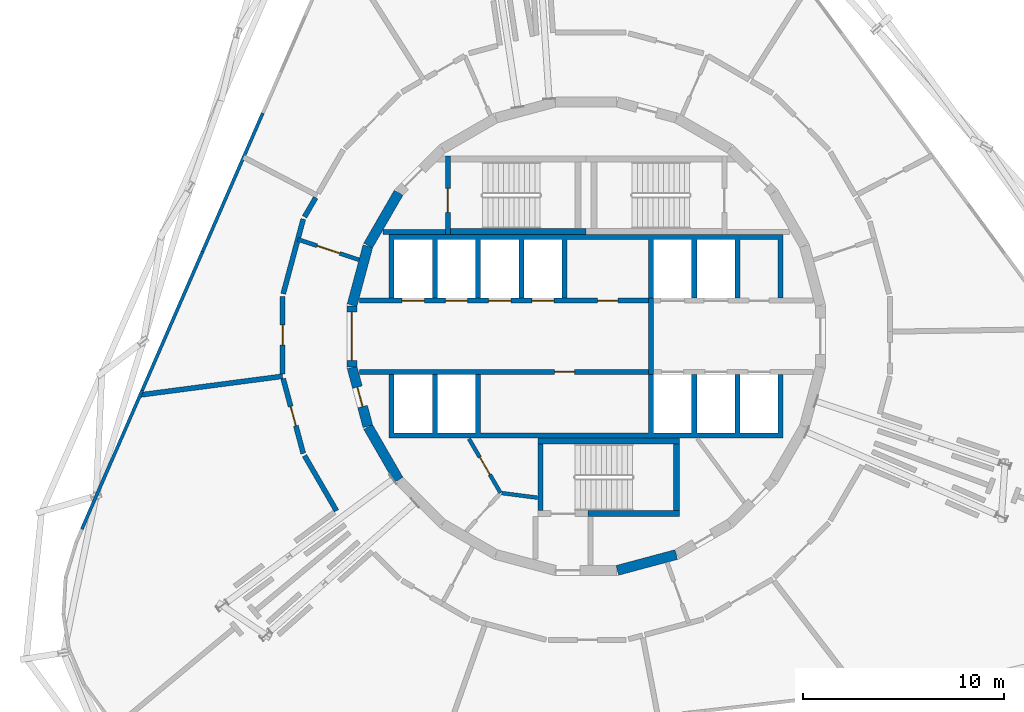
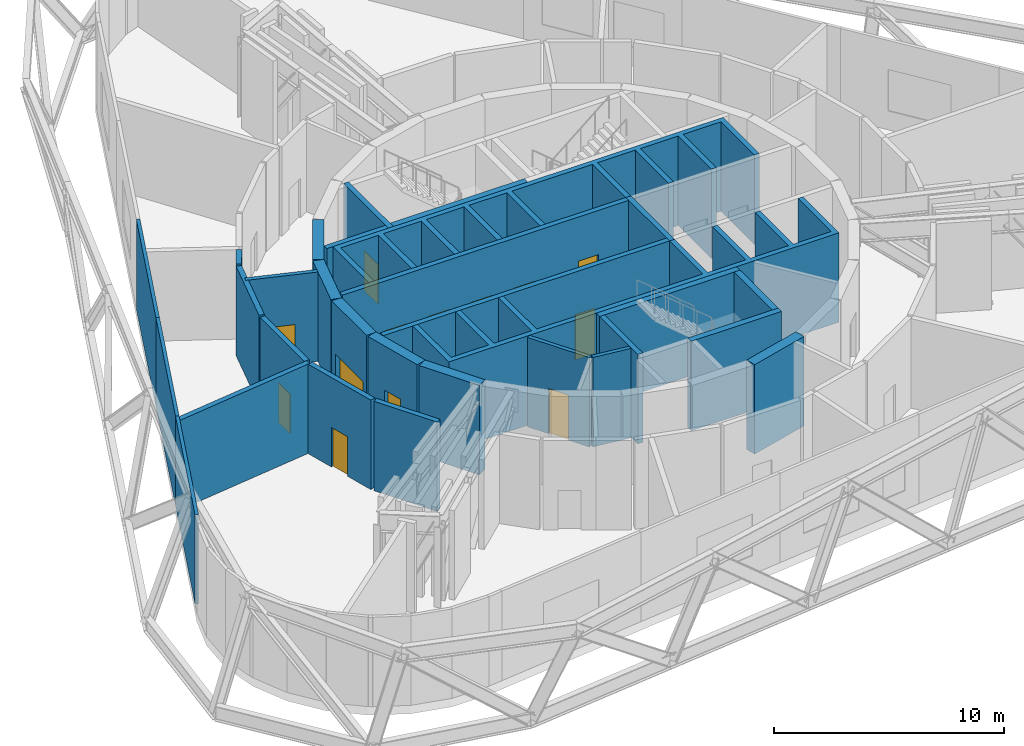
# One storey, part 6 of 11: 30 walls, 13 doors, 13 openings.
"""IFC4 building model written with IfcOpenShell, lengths in metres."""

from ifc_helpers import new_model, si_unit, direction, frame, frame_2d, origin, place, context, subcontext, project, spatial, polyline, rectangle, outline, extrude, material, layer, layer_set, type_object, element, fill, save


model = new_model("IFC4")

# Units and contexts
model_context = context("Model", 3, precision=1e-05, world=origin(), true_north=direction((0.0, 1.0)))
body_context = subcontext(model_context, "Body", "Model", "MODEL_VIEW")
ifc_project = project(units=[si_unit("LENGTHUNIT", "METRE"), si_unit("AREAUNIT", "SQUARE_METRE"), si_unit("VOLUMEUNIT", "CUBIC_METRE"), si_unit("PLANEANGLEUNIT", "RADIAN"), si_unit("MASSUNIT", "GRAM", prefix="KILO")], contexts=[model_context])

# Site, building, storey
site_placement = place(None, origin())
site = spatial("IfcSite", under=ifc_project, at=site_placement, CompositionType="ELEMENT")
building_placement = place(site_placement, origin())
building = spatial("IfcBuilding", under=site, at=building_placement, Name="Spindle Arch Residences", CompositionType="ELEMENT")
storey_placement = place(building_placement, frame((0.0, 0.0, 108.199951171875)))
storey = spatial("IfcBuildingStorey", under=building, at=storey_placement, Name="L26", CompositionType="ELEMENT", Elevation=108.199951171875)

# Walls
ifc_material_1 = material(Name="Concrete C50/60", Category="concrete")
ifc_layer_1 = layer(ifc_material_1, 0.5)
ifc_layer_set_1 = layer_set([ifc_layer_1], Name="Core outline wall 500")
wall_type_1 = type_object("IfcWallType", Name="Core outline wall 500", PredefinedType="SHEAR", material=ifc_layer_set_1)
for number, where, z_axis, x_axis, name in (
    (1, (1.5498046875, -11.642822265625, 0.0), (0.0, 0.0, 1.0), (0.965948410781, 0.258734743916, 0.0), "Core outline wall 1"),
    (2, (-9.32861328125, 7.13671875, 0.0), (0.0, 0.0, 1.0), (-0.500087131594, -0.865975092491, 0.0), "Core outline wall 16"),
    (3, (-10.858154296875, 4.479248046875, 0.0), (0.0, 0.0, 1.0), (-0.258734743916, -0.965948410781, 0.0), "Core outline wall 17"),
):
    element("IfcWall", number, at=place(storey_placement, frame(where, z_axis=z_axis, x_axis=x_axis)), inside=storey, type_object=wall_type_1, Name=name, PredefinedType="SHEAR", context=body_context, shape_type="SweptSolid", body=[
        extrude(rectangle(XDim=3.03271484375, YDim=0.5, at=frame_2d((1.516357421875, 0.0))), origin(), (0.0, 0.0, 1.0), 4.75),
    ])

# Wall, opening, door
wall_1_placement = place(storey_placement, frame((-11.647216796875, 1.516357421875, 0.0), z_axis=(0.0, 0.0, 1.0), x_axis=(0.0, -1.0, 0.0)))
wall_1 = element("IfcWall", 4, at=wall_1_placement, inside=storey, type_object=wall_type_1, Name="Core outline wall 18", PredefinedType="SHEAR", context=body_context, shape_type="SweptSolid", body=[
    extrude(rectangle(XDim=3.03271484375, YDim=0.5, at=frame_2d((1.516357421875, 0.0))), origin(), (0.0, 0.0, 1.0), 4.75),
])
opening_1_placement = place(wall_1_placement, frame((0.31640625, 0.0, 0.0)))
opening_1 = element("IfcOpeningElement", 5, at=opening_1_placement, cuts=wall_1, Name="Opening L26-LE01", PredefinedType="OPENING", context=body_context, shape_type="SweptSolid", body=[
    extrude(rectangle(XDim=2.39990234375, YDim=2.10009765625, at=frame_2d((1.199951171875, 1.050048828125))), frame((0.0, 0.260009765625, 0.0), z_axis=(0.0, -1.0, 0.0), x_axis=(1.0, 0.0, 0.0)), (0.0, 0.0, 1.0), 0.52001953125),
])
ifc_material_2 = material(Name="Steel, fire-resisting door", Category="steel")
door_type_1 = type_object("IfcDoorType", Name="Lift lobby entrance door 2400x2100", OperationType="DOUBLE_DOOR_SINGLE_SWING", PredefinedType="DOOR", material=ifc_material_2)
door_1_placement = place(opening_1_placement, origin())
door_1 = element("IfcDoor", 6, at=door_1_placement, inside=storey, type_object=door_type_1, Name="Lift lobby entrance door L26-LE01", OperationType="DOUBLE_DOOR_SINGLE_SWING", OverallHeight=2.10009765625, OverallWidth=2.39990234375, PredefinedType="DOOR", context=body_context, shape_type="SweptSolid", body=[
    extrude(rectangle(XDim=2.39990234375, YDim=2.10009765625, at=frame_2d((1.199951171875, 1.050048828125))), frame((0.0, 0.02490234375, 0.0), z_axis=(0.0, -1.0, 0.0), x_axis=(1.0, 0.0, 0.0)), (0.0, 0.0, 1.0), 0.050048828125),
])
fill(opening_1, door_1)

wall_2_placement = place(storey_placement, frame((-11.642822265625, -1.5498046875, 0.0), z_axis=(0.0, 0.0, 1.0), x_axis=(0.258734743916, -0.965948410781, 0.0)))
wall_2 = element("IfcWall", 7, at=wall_2_placement, inside=storey, type_object=wall_type_1, Name="Core outline wall 19", PredefinedType="SHEAR", context=body_context, shape_type="SweptSolid", body=[
    extrude(rectangle(XDim=3.03271484375, YDim=0.5, at=frame_2d((1.516357421875, 0.0))), origin(), (0.0, 0.0, 1.0), 4.75),
])
opening_2_placement = place(wall_2_placement, frame((1.016357421875, 0.0, 0.0)))
opening_2 = element("IfcOpeningElement", 8, at=opening_2_placement, cuts=wall_2, Name="Opening L26-PD08", PredefinedType="OPENING", context=body_context, shape_type="SweptSolid", body=[
    extrude(rectangle(XDim=1.0, YDim=2.39990234375, at=frame_2d((0.5, 1.199951171875))), frame((0.0, 0.260009765625, 0.0), z_axis=(0.0, -1.0, 0.0), x_axis=(1.0, 0.0, 0.0)), (0.0, 0.0, 1.0), 0.52001953125),
])
ifc_material_3 = material(Name="Steel, fire-resisting door", Category="steel")
door_type_2 = type_object("IfcDoorType", Name="Plant room door 1000x2400", OperationType="SINGLE_SWING_LEFT", PredefinedType="DOOR", material=ifc_material_3)
door_2_placement = place(opening_2_placement, origin())
door_2 = element("IfcDoor", 9, at=door_2_placement, inside=storey, type_object=door_type_2, Name="Plant room door L26-PD08", OperationType="SINGLE_SWING_LEFT", OverallHeight=2.39990234375, OverallWidth=1.0, PredefinedType="DOOR", context=body_context, shape_type="SweptSolid", body=[
    extrude(rectangle(XDim=1.0, YDim=2.39990234375, at=frame_2d((0.5, 1.199951171875))), frame((0.0, 0.02490234375, 0.0), z_axis=(0.0, -1.0, 0.0), x_axis=(1.0, 0.0, 0.0)), (0.0, 0.0, 1.0), 0.050048828125),
])
fill(opening_2, door_2)

# Walls
wall_3_placement = place(storey_placement, frame((-10.84521484375, -4.510498046875, 0.0), z_axis=(0.0, 0.0, 1.0), x_axis=(0.500087131594, -0.865975092491, 0.0)))
element("IfcWall", 10, at=wall_3_placement, inside=storey, type_object=wall_type_1, Name="Core outline wall 20", PredefinedType="SHEAR", context=body_context, shape_type="SweptSolid", body=[
    extrude(rectangle(XDim=3.03271484375, YDim=0.5, at=frame_2d((1.516357421875, 0.0))), origin(), (0.0, 0.0, 1.0), 4.75),
])
ifc_material_4 = material(Name="Concrete C40/50", Category="concrete")
ifc_layer_2 = layer(ifc_material_4, 0.25)
ifc_layer_set_2 = layer_set([ifc_layer_2], Name="Fire-lift lobby wall 250")
wall_type_2 = type_object("IfcWallType", Name="Fire-lift lobby wall 250", PredefinedType="SHEAR", material=ifc_layer_set_2)
wall_4_placement = place(storey_placement, frame((3.22509765625, -1.89990234375, 0.0), z_axis=(0.0, 0.0, 1.0), x_axis=(0.0, 1.0, 0.0)))
element("IfcWall", 11, at=wall_4_placement, inside=storey, type_object=wall_type_2, Name="Fire-fighting lobby partition", PredefinedType="SHEAR", context=body_context, shape_type="SweptSolid", body=[
    extrude(rectangle(XDim=3.7998046875, YDim=0.25, at=frame_2d((1.89990234375, 0.0))), origin(), (0.0, 0.0, 1.0), 4.75),
])
ifc_material_5 = material(Name="Non-combustible mineral wool insulated aluminium faced external wall (K0)", Category="aluminium")
ifc_layer_3 = layer(ifc_material_5, 0.159912109375)
ifc_layer_set_3 = layer_set([ifc_layer_3], Name="Insulated external wall panel 160")
wall_type_3 = type_object("IfcWallType", Name="Insulated external wall panel 160", PredefinedType="STANDARD", material=ifc_layer_set_3)
wall_5_placement = place(storey_placement, frame((-16.087890625, 11.0947265625, 0.0), z_axis=(0.0, 0.0, 1.0), x_axis=(-0.398737984544, -0.917064893932, 0.0)))
element("IfcWall", 12, at=wall_5_placement, inside=storey, type_object=wall_type_3, Name="Plant wall L26 bay 16", PredefinedType="STANDARD", context=body_context, shape_type="SweptSolid", body=[
    extrude(rectangle(XDim=7.518798828125, YDim=0.159912109375, at=frame_2d((3.75927734375, 0.0))), origin(), (0.0, 0.0, 1.0), 4.75),
])
wall_6_placement = place(storey_placement, frame((-19.0859375, 4.199462890625, 0.0), z_axis=(0.0, 0.0, 1.0), x_axis=(-0.398765291981, -0.917053020229, 0.0)))
element("IfcWall", 13, at=wall_6_placement, inside=storey, type_object=wall_type_3, Name="Plant wall L26 bay 17", PredefinedType="STANDARD", context=body_context, shape_type="SweptSolid", body=[
    extrude(rectangle(XDim=7.51904296875, YDim=0.159912109375, at=frame_2d((3.759521484375, 0.0))), origin(), (0.0, 0.0, 1.0), 4.75),
])
wall_7_placement = place(storey_placement, frame((-22.084228515625, -2.69580078125, 0.0), z_axis=(0.0, 0.0, 1.0), x_axis=(-0.398737984544, -0.917064893932, 0.0)))
element("IfcWall", 14, at=wall_7_placement, inside=storey, type_object=wall_type_3, Name="Plant wall L26 bay 18", PredefinedType="STANDARD", context=body_context, shape_type="SweptSolid", body=[
    extrude(rectangle(XDim=7.518798828125, YDim=0.159912109375, at=frame_2d((3.75927734375, 0.0))), origin(), (0.0, 0.0, 1.0), 4.75),
])

# Wall, openings, doors
ifc_material_6 = material(Name="Concrete C50/60", Category="concrete")
ifc_layer_4 = layer(ifc_material_6, 0.25)
ifc_layer_set_4 = layer_set([ifc_layer_4], Name="Lift shaft wall 250")
wall_type_4 = type_object("IfcWallType", Name="Lift shaft wall 250", PredefinedType="SHEAR", material=ifc_layer_set_4)
wall_8_placement = place(storey_placement, frame((-11.280029296875, 1.77490234375, 0.0), z_axis=(0.0, 0.0, 1.0), x_axis=(1.0, 0.0, 0.0)))
wall_8 = element("IfcWall", 15, at=wall_8_placement, inside=storey, type_object=wall_type_4, Name="Lift shaft front wall NW", PredefinedType="SHEAR", context=body_context, shape_type="SweptSolid", body=[
    extrude(rectangle(XDim=14.380126953125, YDim=0.25, at=frame_2d((7.18994140625, 0.0))), origin(), (0.0, 0.0, 1.0), 4.75),
])
opening_3_placement = place(wall_8_placement, frame((2.1298828125, 0.0, 0.0)))
opening_3 = element("IfcOpeningElement", 16, at=opening_3_placement, cuts=wall_8, Name="Opening L26-LD01", PredefinedType="OPENING", context=body_context, shape_type="SweptSolid", body=[
    extrude(rectangle(XDim=1.10009765625, YDim=2.10009765625, at=frame_2d((0.550048828125, 1.050048828125))), frame((0.0, 0.135009765625, 0.0), z_axis=(0.0, -1.0, 0.0), x_axis=(1.0, 0.0, 0.0)), (0.0, 0.0, 1.0), 0.27001953125),
])
opening_4_placement = place(wall_8_placement, frame((4.280029296875, 0.0, 0.0)))
opening_4 = element("IfcOpeningElement", 17, at=opening_4_placement, cuts=wall_8, Name="Opening L26-LD02", PredefinedType="OPENING", context=body_context, shape_type="SweptSolid", body=[
    extrude(rectangle(XDim=1.10009765625, YDim=2.10009765625, at=frame_2d((0.550048828125, 1.050048828125))), frame((0.0, 0.135009765625, 0.0), z_axis=(0.0, -1.0, 0.0), x_axis=(1.0, 0.0, 0.0)), (0.0, 0.0, 1.0), 0.27001953125),
])
opening_5_placement = place(wall_8_placement, frame((6.429931640625, 0.0, 0.0)))
opening_5 = element("IfcOpeningElement", 18, at=opening_5_placement, cuts=wall_8, Name="Opening L26-LD03", PredefinedType="OPENING", context=body_context, shape_type="SweptSolid", body=[
    extrude(rectangle(XDim=1.10009765625, YDim=2.10009765625, at=frame_2d((0.550048828125, 1.050048828125))), frame((0.0, 0.135009765625, 0.0), z_axis=(0.0, -1.0, 0.0), x_axis=(1.0, 0.0, 0.0)), (0.0, 0.0, 1.0), 0.27001953125),
])
opening_6_placement = place(wall_8_placement, frame((8.580078125, 0.0, 0.0)))
opening_6 = element("IfcOpeningElement", 19, at=opening_6_placement, cuts=wall_8, Name="Opening L26-LD04", PredefinedType="OPENING", context=body_context, shape_type="SweptSolid", body=[
    extrude(rectangle(XDim=1.10009765625, YDim=2.10009765625, at=frame_2d((0.550048828125, 1.050048828125))), frame((0.0, 0.135009765625, 0.0), z_axis=(0.0, -1.0, 0.0), x_axis=(1.0, 0.0, 0.0)), (0.0, 0.0, 1.0), 0.27001953125),
])
opening_7_placement = place(wall_8_placement, frame((11.85498046875, 0.0, 0.0)))
opening_7 = element("IfcOpeningElement", 20, at=opening_7_placement, cuts=wall_8, Name="Opening L26-PD01", PredefinedType="OPENING", context=body_context, shape_type="SweptSolid", body=[
    extrude(rectangle(XDim=1.0, YDim=2.39990234375, at=frame_2d((0.5, 1.199951171875))), frame((0.0, 0.135009765625, 0.0), z_axis=(0.0, -1.0, 0.0), x_axis=(1.0, 0.0, 0.0)), (0.0, 0.0, 1.0), 0.27001953125),
])
ifc_material_7 = material(Name="Steel, fire-resisting landing door", Category="steel")
door_type_3 = type_object("IfcDoorType", Name="Lift landing door 1100x2100", OperationType="DOUBLE_DOOR_SLIDING", PredefinedType="DOOR", material=ifc_material_7)
door_3_placement = place(opening_3_placement, origin())
door_3 = element("IfcDoor", 21, at=door_3_placement, inside=storey, type_object=door_type_3, Name="Lift landing door L26-LD01", OperationType="DOUBLE_DOOR_SLIDING", OverallHeight=2.10009765625, OverallWidth=1.10009765625, PredefinedType="DOOR", context=body_context, shape_type="SweptSolid", body=[
    extrude(rectangle(XDim=1.10009765625, YDim=2.10009765625, at=frame_2d((0.550048828125, 1.050048828125))), frame((0.0, 0.02490234375, 0.0), z_axis=(0.0, -1.0, 0.0), x_axis=(1.0, 0.0, 0.0)), (0.0, 0.0, 1.0), 0.050048828125),
])
fill(opening_3, door_3)
door_4_placement = place(opening_4_placement, origin())
door_4 = element("IfcDoor", 22, at=door_4_placement, inside=storey, type_object=door_type_3, Name="Lift landing door L26-LD02", OperationType="DOUBLE_DOOR_SLIDING", OverallHeight=2.10009765625, OverallWidth=1.10009765625, PredefinedType="DOOR", context=body_context, shape_type="SweptSolid", body=[
    extrude(rectangle(XDim=1.10009765625, YDim=2.10009765625, at=frame_2d((0.550048828125, 1.050048828125))), frame((0.0, 0.02490234375, 0.0), z_axis=(0.0, -1.0, 0.0), x_axis=(1.0, 0.0, 0.0)), (0.0, 0.0, 1.0), 0.050048828125),
])
fill(opening_4, door_4)
door_5_placement = place(opening_5_placement, origin())
door_5 = element("IfcDoor", 23, at=door_5_placement, inside=storey, type_object=door_type_3, Name="Lift landing door L26-LD03", OperationType="DOUBLE_DOOR_SLIDING", OverallHeight=2.10009765625, OverallWidth=1.10009765625, PredefinedType="DOOR", context=body_context, shape_type="SweptSolid", body=[
    extrude(rectangle(XDim=1.10009765625, YDim=2.10009765625, at=frame_2d((0.550048828125, 1.050048828125))), frame((0.0, 0.02490234375, 0.0), z_axis=(0.0, -1.0, 0.0), x_axis=(1.0, 0.0, 0.0)), (0.0, 0.0, 1.0), 0.050048828125),
])
fill(opening_5, door_5)
door_6_placement = place(opening_6_placement, origin())
door_6 = element("IfcDoor", 24, at=door_6_placement, inside=storey, type_object=door_type_3, Name="Lift landing door L26-LD04", OperationType="DOUBLE_DOOR_SLIDING", OverallHeight=2.10009765625, OverallWidth=1.10009765625, PredefinedType="DOOR", context=body_context, shape_type="SweptSolid", body=[
    extrude(rectangle(XDim=1.10009765625, YDim=2.10009765625, at=frame_2d((0.550048828125, 1.050048828125))), frame((0.0, 0.02490234375, 0.0), z_axis=(0.0, -1.0, 0.0), x_axis=(1.0, 0.0, 0.0)), (0.0, 0.0, 1.0), 0.050048828125),
])
fill(opening_6, door_6)
door_7_placement = place(opening_7_placement, origin())
door_7 = element("IfcDoor", 25, at=door_7_placement, inside=storey, type_object=door_type_2, Name="Plant room door L26-PD01", OperationType="SINGLE_SWING_RIGHT", OverallHeight=2.39990234375, OverallWidth=1.0, PredefinedType="DOOR", context=body_context, shape_type="SweptSolid", body=[
    extrude(rectangle(XDim=1.0, YDim=2.39990234375, at=frame_2d((0.5, 1.199951171875))), frame((0.0, 0.02490234375, 0.0), z_axis=(0.0, -1.0, 0.0), x_axis=(1.0, 0.0, 0.0)), (0.0, 0.0, 1.0), 0.050048828125),
])
fill(opening_7, door_7)

# Wall, opening, door
wall_9_placement = place(storey_placement, frame((-11.280029296875, -1.77490234375, 0.0), z_axis=(0.0, 0.0, 1.0), x_axis=(1.0, 0.0, 0.0)))
wall_9 = element("IfcWall", 26, at=wall_9_placement, inside=storey, type_object=wall_type_4, Name="Lift shaft front wall SW", PredefinedType="SHEAR", context=body_context, shape_type="SweptSolid", body=[
    extrude(rectangle(XDim=14.380126953125, YDim=0.25, at=frame_2d((7.18994140625, 0.0))), origin(), (0.0, 0.0, 1.0), 4.75),
])
opening_8_placement = place(wall_9_placement, frame((9.705078125, 0.0, 0.0)))
opening_8 = element("IfcOpeningElement", 27, at=opening_8_placement, cuts=wall_9, Name="Opening L26-PD03", PredefinedType="OPENING", context=body_context, shape_type="SweptSolid", body=[
    extrude(rectangle(XDim=1.0, YDim=2.39990234375, at=frame_2d((0.5, 1.199951171875))), frame((0.0, 0.135009765625, 0.0), z_axis=(0.0, -1.0, 0.0), x_axis=(1.0, 0.0, 0.0)), (0.0, 0.0, 1.0), 0.27001953125),
])
door_8_placement = place(opening_8_placement, origin())
door_8 = element("IfcDoor", 28, at=door_8_placement, inside=storey, type_object=door_type_2, Name="Plant room door L26-PD03", OperationType="SINGLE_SWING_RIGHT", OverallHeight=2.39990234375, OverallWidth=1.0, PredefinedType="DOOR", context=body_context, shape_type="SweptSolid", body=[
    extrude(rectangle(XDim=1.0, YDim=2.39990234375, at=frame_2d((0.5, 1.199951171875))), frame((0.0, 0.02490234375, 0.0), z_axis=(0.0, -1.0, 0.0), x_axis=(1.0, 0.0, 0.0)), (0.0, 0.0, 1.0), 0.050048828125),
])
fill(opening_8, door_8)

# Walls
ifc_material_8 = material(Name="Concrete C50/60", Category="concrete")
wall_type_5 = type_object("IfcWallType", Name="Lift shaft wall profile", PredefinedType="SHEAR", material=ifc_material_8)
wall_10_placement = place(storey_placement, origin())
element("IfcWall", 29, at=wall_10_placement, inside=storey, type_object=wall_type_5, Name="Lift shaft walls N", PredefinedType="SHEAR", context=body_context, shape_type="SweptSolid", body=[
    extrude(outline(polyline([(-9.550048828125, 4.800048828125), (-7.64990234375, 4.800048828125), (-7.64990234375, 1.89990234375), (-7.39990234375, 1.89990234375), (-7.39990234375, 4.800048828125), (-5.5, 4.800048828125), (-5.5, 1.89990234375), (-5.25, 1.89990234375), (-5.25, 4.800048828125), (-3.35009765625, 4.800048828125), (-3.35009765625, 1.89990234375), (-3.10009765625, 1.89990234375), (-3.10009765625, 4.800048828125), (-1.199951171875, 4.800048828125), (-1.199951171875, 1.89990234375), (-0.949951171875, 1.89990234375), (-0.949951171875, 4.800048828125), (3.10009765625, 4.800048828125), (3.10009765625, 1.89990234375), (3.35009765625, 1.89990234375), (3.35009765625, 4.800048828125), (5.25, 4.800048828125), (5.25, 1.89990234375), (5.5, 1.89990234375), (5.5, 4.800048828125), (7.39990234375, 4.800048828125), (7.39990234375, 1.89990234375), (7.64990234375, 1.89990234375), (7.64990234375, 4.800048828125), (9.550048828125, 4.800048828125), (9.550048828125, 1.89990234375), (9.800048828125, 1.89990234375), (9.800048828125, 4.800048828125), (9.800048828125, 5.050048828125), (-9.800048828125, 5.050048828125), (-9.800048828125, 4.800048828125), (-9.800048828125, 1.89990234375), (-9.550048828125, 1.89990234375), (-9.550048828125, 4.800048828125)])), origin(), (0.0, 0.0, 1.0), 4.75),
])
wall_11_placement = place(storey_placement, origin())
element("IfcWall", 30, at=wall_11_placement, inside=storey, type_object=wall_type_5, Name="Lift shaft walls S", PredefinedType="SHEAR", context=body_context, shape_type="SweptSolid", body=[
    extrude(outline(polyline([(9.800048828125, -5.050048828125), (9.800048828125, -4.800048828125), (9.800048828125, -1.89990234375), (9.550048828125, -1.89990234375), (9.550048828125, -4.800048828125), (7.64990234375, -4.800048828125), (7.64990234375, -1.89990234375), (7.39990234375, -1.89990234375), (7.39990234375, -4.800048828125), (5.5, -4.800048828125), (5.5, -1.89990234375), (5.25, -1.89990234375), (5.25, -4.800048828125), (3.35009765625, -4.800048828125), (3.35009765625, -1.89990234375), (3.10009765625, -1.89990234375), (3.10009765625, -4.800048828125), (-5.25, -4.800048828125), (-5.25, -1.89990234375), (-5.5, -1.89990234375), (-5.5, -4.800048828125), (-7.39990234375, -4.800048828125), (-7.39990234375, -1.89990234375), (-7.64990234375, -1.89990234375), (-7.64990234375, -4.800048828125), (-9.550048828125, -4.800048828125), (-9.550048828125, -1.89990234375), (-9.800048828125, -1.89990234375), (-9.800048828125, -4.800048828125), (-9.800048828125, -5.050048828125), (9.800048828125, -5.050048828125)])), origin(), (0.0, 0.0, 1.0), 4.75),
])
ifc_material_9 = material(Name="Concrete C25/30 wall", Category="concrete")
ifc_layer_5 = layer(ifc_material_9, 0.25)
ifc_layer_set_5 = layer_set([ifc_layer_5], Name="Partition EI 120 250 plant")
wall_type_6 = type_object("IfcWallType", Name="Partition EI 120 250 plant", PredefinedType="PARTITIONING", material=ifc_layer_set_5)
wall_12_placement = place(storey_placement, frame((-15.10009765625, -1.989990234375, 0.0), z_axis=(0.0, 0.0, 1.0), x_axis=(-0.991513570941, -0.130003225498, 0.0)))
element("IfcWall", 31, at=wall_12_placement, inside=storey, type_object=wall_type_6, Name="L26-W005", PredefinedType="PARTITIONING", context=body_context, shape_type="SweptSolid", body=[
    extrude(rectangle(XDim=7.1513671875, YDim=0.25, at=frame_2d((3.57568359375, 0.0))), origin(), (0.0, 0.0, 1.0), 4.75),
])

# Wall, opening, door
wall_13_placement = place(storey_placement, frame((-15.067626953125, -2.11083984375, 0.0), z_axis=(0.0, 0.0, 1.0), x_axis=(0.259059323171, -0.965861411942, 0.0)))
wall_13 = element("IfcWall", 32, at=wall_13_placement, inside=storey, type_object=wall_type_6, Name="L26-W006", PredefinedType="PARTITIONING", context=body_context, shape_type="SweptSolid", body=[
    extrude(rectangle(XDim=3.8505859375, YDim=0.25, at=frame_2d((1.92529296875, 0.0))), origin(), (0.0, 0.0, 1.0), 4.75),
])
opening_9_placement = place(wall_13_placement, frame((1.42529296875, 0.0, 0.0)))
opening_9 = element("IfcOpeningElement", 33, at=opening_9_placement, cuts=wall_13, Name="Opening L26-D05", PredefinedType="OPENING", context=body_context, shape_type="SweptSolid", body=[
    extrude(rectangle(XDim=1.0, YDim=2.10009765625, at=frame_2d((0.5, 1.050048828125))), frame((0.0, 0.135009765625, 0.0), z_axis=(0.0, -1.0, 0.0), x_axis=(1.0, 0.0, 0.0)), (0.0, 0.0, 1.0), 0.27001953125),
])
ifc_material_10 = material(Name="Steel door leaf, painted", Category="steel")
door_type_4 = type_object("IfcDoorType", Name="Door 1000x2100 EI 60", OperationType="SINGLE_SWING_LEFT", PredefinedType="DOOR", material=ifc_material_10)
door_9_placement = place(opening_9_placement, origin())
door_9 = element("IfcDoor", 34, at=door_9_placement, inside=storey, type_object=door_type_4, Name="L26-D05", OperationType="SINGLE_SWING_LEFT", OverallHeight=2.10009765625, OverallWidth=1.0, PredefinedType="DOOR", context=body_context, shape_type="SweptSolid", body=[
    extrude(rectangle(XDim=1.0, YDim=2.10009765625, at=frame_2d((0.5, 1.050048828125))), frame((0.0, 0.02490234375, 0.0), z_axis=(0.0, -1.0, 0.0), x_axis=(1.0, 0.0, 0.0)), (0.0, 0.0, 1.0), 0.050048828125),
])
fill(opening_9, door_9)

wall_14_placement = place(storey_placement, frame((-15.10009765625, 1.989990234375, 0.0), z_axis=(0.0, 0.0, 1.0), x_axis=(0.0, -1.0, 0.0)))
wall_14 = element("IfcWall", 35, at=wall_14_placement, inside=storey, type_object=wall_type_6, Name="L26-W007", PredefinedType="PARTITIONING", context=body_context, shape_type="SweptSolid", body=[
    extrude(rectangle(XDim=3.85498046875, YDim=0.25, at=frame_2d((1.927490234375, 0.0))), origin(), (0.0, 0.0, 1.0), 4.75),
])
opening_10_placement = place(wall_14_placement, frame((1.427490234375, 0.0, 0.0)))
opening_10 = element("IfcOpeningElement", 36, at=opening_10_placement, cuts=wall_14, Name="Opening L26-D07", PredefinedType="OPENING", context=body_context, shape_type="SweptSolid", body=[
    extrude(rectangle(XDim=1.0, YDim=2.10009765625, at=frame_2d((0.5, 1.050048828125))), frame((0.0, 0.135009765625, 0.0), z_axis=(0.0, -1.0, 0.0), x_axis=(1.0, 0.0, 0.0)), (0.0, 0.0, 1.0), 0.27001953125),
])
door_10_placement = place(opening_10_placement, origin())
door_10 = element("IfcDoor", 37, at=door_10_placement, inside=storey, type_object=door_type_4, Name="L26-D07", OperationType="SINGLE_SWING_LEFT", OverallHeight=2.10009765625, OverallWidth=1.0, PredefinedType="DOOR", context=body_context, shape_type="SweptSolid", body=[
    extrude(rectangle(XDim=1.0, YDim=2.10009765625, at=frame_2d((0.5, 1.050048828125))), frame((0.0, 0.02490234375, 0.0), z_axis=(0.0, -1.0, 0.0), x_axis=(1.0, 0.0, 0.0)), (0.0, 0.0, 1.0), 0.050048828125),
])
fill(opening_10, door_10)

# Walls
wall_15_placement = place(storey_placement, frame((-14.00732421875, -5.938232421875, 0.0), z_axis=(0.0, 0.0, 1.0), x_axis=(0.501060572221, -0.865412215632, 0.0)))
element("IfcWall", 38, at=wall_15_placement, inside=storey, type_object=wall_type_6, Name="L26-W009", PredefinedType="PARTITIONING", context=body_context, shape_type="SweptSolid", body=[
    extrude(rectangle(XDim=3.16796875, YDim=0.25, at=frame_2d((1.583984375, 0.0))), origin(), (0.0, 0.0, 1.0), 4.75),
])
wall_16_placement = place(storey_placement, frame((-14.070068359375, 5.830078125, 0.0), z_axis=(0.0, 0.0, 1.0), x_axis=(-0.259059323171, -0.965861411942, 0.0)))
element("IfcWall", 39, at=wall_16_placement, inside=storey, type_object=wall_type_6, Name="L26-W010", PredefinedType="PARTITIONING", context=body_context, shape_type="SweptSolid", body=[
    extrude(rectangle(XDim=3.8505859375, YDim=0.25, at=frame_2d((1.92529296875, 0.0))), origin(), (0.0, 0.0, 1.0), 4.75),
])
wall_17_placement = place(storey_placement, frame((-13.452880859375, 6.891845703125, 0.0), z_axis=(0.0, 0.0, 1.0), x_axis=(-0.502370413152, -0.864652512857, 0.0)))
element("IfcWall", 40, at=wall_17_placement, inside=storey, type_object=wall_type_6, Name="L26-W013", PredefinedType="PARTITIONING", context=body_context, shape_type="SweptSolid", body=[
    extrude(rectangle(XDim=1.103271484375, YDim=0.25, at=frame_2d((0.5517578125, 0.0))), origin(), (0.0, 0.0, 1.0), 4.75),
])

# Wall, opening, door
ifc_material_11 = material(Name="Gypsum board partition on steel studs", Category="steel")
ifc_layer_6 = layer(ifc_material_11, 0.199951171875)
ifc_layer_set_6 = layer_set([ifc_layer_6], Name="Partition EI 60 200 amenity")
wall_type_7 = type_object("IfcWallType", Name="Partition EI 60 200 amenity", PredefinedType="PARTITIONING", material=ifc_layer_set_6)
wall_18_placement = place(storey_placement, frame((-11.300048828125, 3.800048828125, 0.0), z_axis=(0.0, 0.0, 1.0), x_axis=(-0.94805712629, 0.318100118345, 0.0)))
wall_18 = element("IfcWall", 41, at=wall_18_placement, inside=storey, type_object=wall_type_7, Name="L26-W018", PredefinedType="PARTITIONING", context=body_context, shape_type="SweptSolid", body=[
    extrude(rectangle(XDim=3.20654296875, YDim=0.199951171875, at=frame_2d((1.603271484375, 0.0))), origin(), (0.0, 0.0, 1.0), 4.75),
])
opening_11_placement = place(wall_18_placement, frame((1.00341796875, 0.0, 0.0)))
opening_11 = element("IfcOpeningElement", 42, at=opening_11_placement, cuts=wall_18, Name="Opening L26-D16", PredefinedType="OPENING", context=body_context, shape_type="SweptSolid", body=[
    extrude(rectangle(XDim=1.199951171875, YDim=2.10009765625, at=frame_2d((0.60009765625, 1.050048828125))), frame((0.0, 0.10986328125, 0.0), z_axis=(0.0, -1.0, 0.0), x_axis=(1.0, 0.0, 0.0)), (0.0, 0.0, 1.0), 0.219970703125),
])
ifc_material_12 = material(Name="Steel door leaf, painted", Category="steel")
door_type_5 = type_object("IfcDoorType", Name="Door 1200x2100 EI 60", OperationType="SINGLE_SWING_LEFT", PredefinedType="DOOR", material=ifc_material_12)
door_11_placement = place(opening_11_placement, origin())
door_11 = element("IfcDoor", 43, at=door_11_placement, inside=storey, type_object=door_type_5, Name="L26-D16", OperationType="SINGLE_SWING_LEFT", OverallHeight=2.10009765625, OverallWidth=1.199951171875, PredefinedType="DOOR", context=body_context, shape_type="SweptSolid", body=[
    extrude(rectangle(XDim=1.199951171875, YDim=2.10009765625, at=frame_2d((0.60009765625, 1.050048828125))), frame((0.0, 0.02490234375, 0.0), z_axis=(0.0, -1.0, 0.0), x_axis=(1.0, 0.0, 0.0)), (0.0, 0.0, 1.0), 0.050048828125),
])
fill(opening_11, door_11)

ifc_material_13 = material(Name="Concrete C25/30", Category="concrete")
ifc_layer_7 = layer(ifc_material_13, 0.18994140625)
ifc_layer_set_7 = layer_set([ifc_layer_7], Name="Plant room partition 190")
wall_type_8 = type_object("IfcWallType", Name="Plant room partition 190", PredefinedType="PARTITIONING", material=ifc_layer_set_7)
wall_19_placement = place(storey_placement, frame((-5.8291015625, -5.101806640625, 0.0), z_axis=(0.0, 0.0, 1.0), x_axis=(0.504480008384, -0.863423373057, 0.0)))
wall_19 = element("IfcWall", 44, at=wall_19_placement, inside=storey, type_object=wall_type_8, Name="Core plant room partition", PredefinedType="PARTITIONING", context=body_context, shape_type="SweptSolid", body=[
    extrude(rectangle(XDim=3.115234375, YDim=0.18994140625, at=frame_2d((1.5576171875, 0.0))), origin(), (0.0, 0.0, 1.0), 4.75),
])
opening_12_placement = place(wall_19_placement, frame((1.0576171875, 0.0, 0.0)))
opening_12 = element("IfcOpeningElement", 45, at=opening_12_placement, cuts=wall_19, Name="Opening L26-PD05", PredefinedType="OPENING", context=body_context, shape_type="SweptSolid", body=[
    extrude(rectangle(XDim=1.0, YDim=2.39990234375, at=frame_2d((0.5, 1.199951171875))), frame((0.0, 0.10498046875, 0.0), z_axis=(0.0, -1.0, 0.0), x_axis=(1.0, 0.0, 0.0)), (0.0, 0.0, 1.0), 0.2099609375),
])
door_12_placement = place(opening_12_placement, origin())
door_12 = element("IfcDoor", 46, at=door_12_placement, inside=storey, type_object=door_type_2, Name="Plant room door L26-PD05", OperationType="SINGLE_SWING_RIGHT", OverallHeight=2.39990234375, OverallWidth=1.0, PredefinedType="DOOR", context=body_context, shape_type="SweptSolid", body=[
    extrude(rectangle(XDim=1.0, YDim=2.39990234375, at=frame_2d((0.5, 1.199951171875))), frame((0.0, 0.02490234375, 0.0), z_axis=(0.0, -1.0, 0.0), x_axis=(1.0, 0.0, 0.0)), (0.0, 0.0, 1.0), 0.050048828125),
])
fill(opening_12, door_12)

# Walls
wall_20_placement = place(storey_placement, frame((-4.197998046875, -7.79931640625, 0.0), z_axis=(0.0, 0.0, 1.0), x_axis=(0.991686747293, -0.128675542523, 0.0)))
element("IfcWall", 47, at=wall_20_placement, inside=storey, type_object=wall_type_8, Name="Core plant room partition", PredefinedType="PARTITIONING", context=body_context, shape_type="SweptSolid", body=[
    extrude(rectangle(XDim=1.79296875, YDim=0.18994140625, at=frame_2d((0.896484375, 0.0))), origin(), (0.0, 0.0, 1.0), 4.75),
])
ifc_material_14 = material(Name="Concrete C40/50", Category="concrete")
ifc_layer_8 = layer(ifc_material_14, 0.25)
ifc_layer_set_8 = layer_set([ifc_layer_8], Name="Stair airlock wall 250")
wall_type_9 = type_object("IfcWallType", Name="Stair airlock wall 250", PredefinedType="SHEAR", material=ifc_layer_set_8)
wall_21_placement = place(storey_placement, frame((-7.0, 5.175048828125, 0.0), z_axis=(0.0, 0.0, 1.0), x_axis=(-1.0, 0.0, 0.0)))
element("IfcWall", 48, at=wall_21_placement, inside=storey, type_object=wall_type_9, Name="Stair ST-2 airlock wall S", PredefinedType="SHEAR", context=body_context, shape_type="SweptSolid", body=[
    extrude(rectangle(XDim=3.10009765625, YDim=0.25, at=frame_2d((1.550048828125, 0.0))), origin(), (0.0, 0.0, 1.0), 4.75),
])

# Wall, opening, door
ifc_material_15 = material(Name="Concrete C50/60", Category="concrete")
ifc_layer_9 = layer(ifc_material_15, 0.25)
ifc_layer_set_9 = layer_set([ifc_layer_9], Name="Stair enclosure wall 250")
wall_type_10 = type_object("IfcWallType", Name="Stair enclosure wall 250", PredefinedType="SHEAR", material=ifc_layer_set_9)
wall_22_placement = place(storey_placement, frame((-6.875, 8.969970703125, 0.0), z_axis=(0.0, 0.0, 1.0), x_axis=(0.0, -1.0, 0.0)))
wall_22 = element("IfcWall", 49, at=wall_22_placement, inside=storey, type_object=wall_type_10, Name="Stair ST-2 door wall", PredefinedType="SHEAR", context=body_context, shape_type="SweptSolid", body=[
    extrude(rectangle(XDim=3.919921875, YDim=0.25, at=frame_2d((1.9599609375, 0.0))), origin(), (0.0, 0.0, 1.0), 4.75),
])
opening_13_placement = place(wall_22_placement, frame((1.610107421875, 0.0, 0.0)))
opening_13 = element("IfcOpeningElement", 50, at=opening_13_placement, cuts=wall_22, Name="Opening L26-SD02", PredefinedType="OPENING", context=body_context, shape_type="SweptSolid", body=[
    extrude(rectangle(XDim=1.199951171875, YDim=2.10009765625, at=frame_2d((0.60009765625, 1.050048828125))), frame((0.0, 0.135009765625, 0.0), z_axis=(0.0, -1.0, 0.0), x_axis=(1.0, 0.0, 0.0)), (0.0, 0.0, 1.0), 0.27001953125),
])
ifc_material_16 = material(Name="Steel, fire-resisting door", Category="steel")
door_type_6 = type_object("IfcDoorType", Name="Stair door 1200x2100", OperationType="SINGLE_SWING_RIGHT", PredefinedType="DOOR", material=ifc_material_16)
door_13_placement = place(opening_13_placement, origin())
door_13 = element("IfcDoor", 51, at=door_13_placement, inside=storey, type_object=door_type_6, Name="Stair door L26-SD02", OperationType="SINGLE_SWING_LEFT", OverallHeight=2.10009765625, OverallWidth=1.199951171875, PredefinedType="DOOR", context=body_context, shape_type="SweptSolid", body=[
    extrude(rectangle(XDim=1.199951171875, YDim=2.10009765625, at=frame_2d((0.60009765625, 1.050048828125))), frame((0.0, 0.02490234375, 0.0), z_axis=(0.0, -1.0, 0.0), x_axis=(1.0, 0.0, 0.0)), (0.0, 0.0, 1.0), 0.050048828125),
])
fill(opening_13, door_13)

# Walls
wall_23_placement = place(storey_placement, frame((-2.27490234375, -8.669921875, 0.0), z_axis=(0.0, 0.0, 1.0), x_axis=(0.0, 1.0, 0.0)))
element("IfcWall", 52, at=wall_23_placement, inside=storey, type_object=wall_type_10, Name="Stair ST-3 enclosure wall W", PredefinedType="SHEAR", context=body_context, shape_type="SweptSolid", body=[
    extrude(rectangle(XDim=3.31982421875, YDim=0.25, at=frame_2d((1.659912109375, 0.0))), origin(), (0.0, 0.0, 1.0), 4.75),
])
ifc_material_17 = material(Name="Concrete C50/60", Category="concrete")
ifc_layer_10 = layer(ifc_material_17, 0.300048828125)
ifc_layer_set_10 = layer_set([ifc_layer_10], Name="Stair enclosure wall 300")
wall_type_11 = type_object("IfcWallType", Name="Stair enclosure wall 300", PredefinedType="SHEAR", material=ifc_layer_set_10)
wall_24_placement = place(storey_placement, frame((-6.75, 5.199951171875, 0.0), z_axis=(0.0, 0.0, 1.0), x_axis=(1.0, 0.0, 0.0)))
element("IfcWall", 53, at=wall_24_placement, inside=storey, type_object=wall_type_11, Name="Stair ST-2 enclosure wall S", PredefinedType="SHEAR", context=body_context, shape_type="SweptSolid", body=[
    extrude(rectangle(XDim=6.75, YDim=0.300048828125, at=frame_2d((3.375, 0.0))), origin(), (0.0, 0.0, 1.0), 4.75),
])
wall_25_placement = place(storey_placement, frame((-2.39990234375, -5.199951171875, 0.0), z_axis=(0.0, 0.0, 1.0), x_axis=(1.0, 0.0, 0.0)))
element("IfcWall", 54, at=wall_25_placement, inside=storey, type_object=wall_type_11, Name="Stair ST-3 enclosure wall N", PredefinedType="SHEAR", context=body_context, shape_type="SweptSolid", body=[
    extrude(rectangle(XDim=7.0498046875, YDim=0.300048828125, at=frame_2d((3.52490234375, 0.0))), origin(), (0.0, 0.0, 1.0), 4.75),
])
wall_26_placement = place(storey_placement, frame((4.5, -8.669921875, 0.0), z_axis=(0.0, 0.0, 1.0), x_axis=(0.0, 1.0, 0.0)))
element("IfcWall", 55, at=wall_26_placement, inside=storey, type_object=wall_type_11, Name="Stair ST-3 enclosure wall E", PredefinedType="SHEAR", context=body_context, shape_type="SweptSolid", body=[
    extrude(rectangle(XDim=3.31982421875, YDim=0.300048828125, at=frame_2d((1.659912109375, 0.0))), origin(), (0.0, 0.0, 1.0), 4.75),
])
wall_27_placement = place(storey_placement, frame((0.10009765625, -8.820068359375, 0.0), z_axis=(0.0, 0.0, 1.0), x_axis=(1.0, 0.0, 0.0)))
element("IfcWall", 56, at=wall_27_placement, inside=storey, type_object=wall_type_11, Name="Stair ST-3 enclosure wall S", PredefinedType="SHEAR", context=body_context, shape_type="SweptSolid", body=[
    extrude(rectangle(XDim=4.5498046875, YDim=0.300048828125, at=frame_2d((2.27490234375, 0.0))), origin(), (0.0, 0.0, 1.0), 4.75),
])

save(model, "model.ifc")
